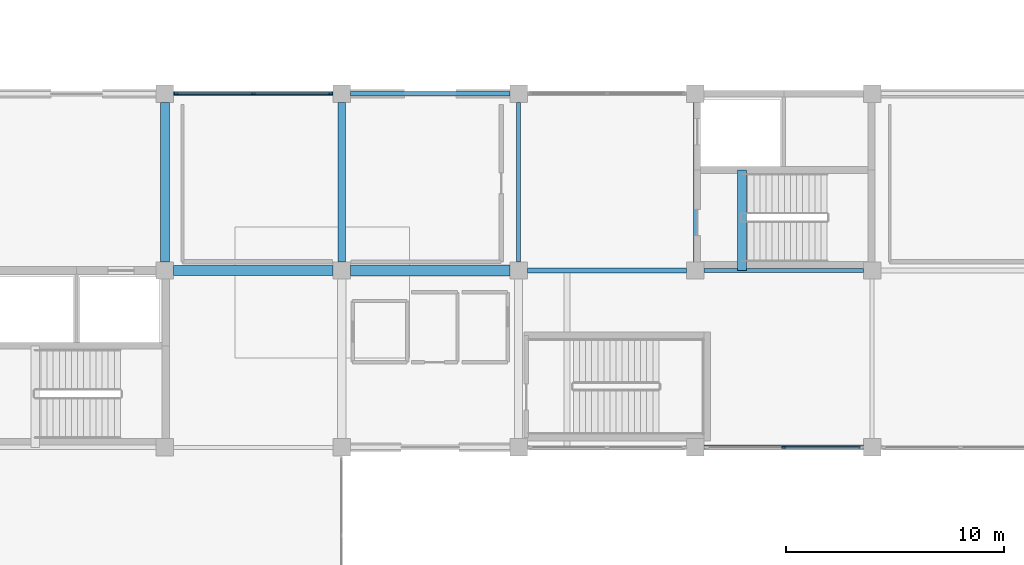
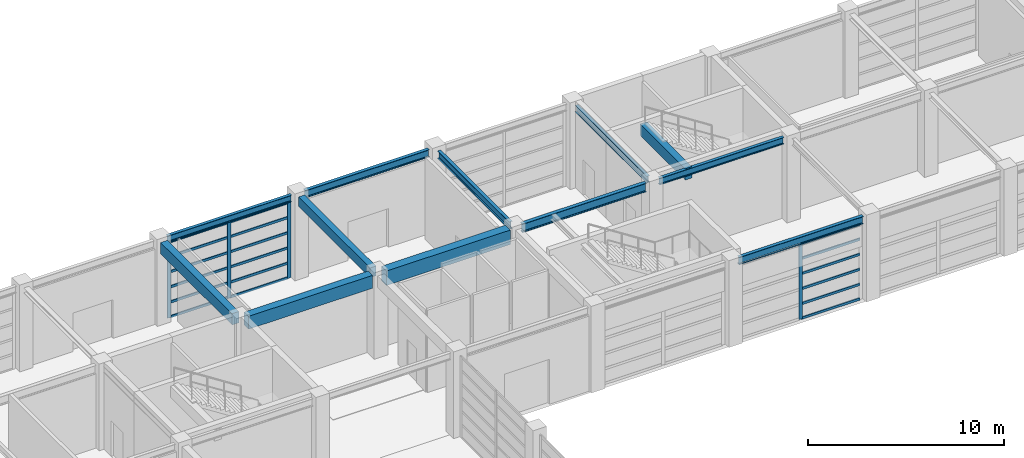
# One storey, part 22 of 52: 22 members, 12 beams, 2 elements without a shape of their own.
"""IFC4 building model written with IfcOpenShell, lengths in metres."""

from ifc_helpers import new_model, si_unit, direction, frame, origin, origin_2d, place, context, subcontext, project, spatial, rectangle, i_section, extrude, material, material_profile, profile_set, type_object, element, aggregate, save


model = new_model("IFC4")

# Units and contexts
model_context = context("Model", 3, precision=1e-05, world=origin(), true_north=direction((0.0, 1.0)))
body_context = subcontext(model_context, "Body", "Model", "MODEL_VIEW")
ifc_project = project(units=[si_unit("LENGTHUNIT", "METRE"), si_unit("AREAUNIT", "SQUARE_METRE"), si_unit("VOLUMEUNIT", "CUBIC_METRE"), si_unit("PLANEANGLEUNIT", "RADIAN"), si_unit("MASSUNIT", "GRAM", prefix="KILO")], contexts=[model_context])

# Site, building, storey
site_placement = place(None, origin())
site = spatial("IfcSite", under=ifc_project, at=site_placement, CompositionType="ELEMENT")
building_placement = place(site_placement, origin())
building = spatial("IfcBuilding", under=site, at=building_placement, Name="Parian Resonance Hall", CompositionType="ELEMENT")
storey_placement = place(building_placement, origin())
storey = spatial("IfcBuildingStorey", under=building, at=storey_placement, Name="L00", CompositionType="ELEMENT", Elevation=0.0)

# Beams
ifc_material_1 = material(Name="Concrete C40/50", Category="concrete")
ifc_material_profile_1 = material_profile(ifc_material_1, rectangle(XDim=0.35009765625, YDim=0.60009765625, at=origin_2d()), Name="RC-BM-350x600")
ifc_profile_set_1 = profile_set([ifc_material_profile_1], Name="Concrete C40/50")
beam_type_1 = type_object("IfcBeamType", Name="BM-RC350x600", PredefinedType="BEAM", material=ifc_profile_set_1)
beam_1_placement = place(storey_placement, frame((72.89990234375, 81.39990234375, 4.85009765625), z_axis=(0.0, 1.0, 0.0), x_axis=(-1.0, 0.0, 0.0)))
element("IfcBeam", 1, at=beam_1_placement, inside=storey, type_object=beam_type_1, Name="GY-L00-0433", PredefinedType="BEAM", context=body_context, shape_type="SweptSolid", body=[
    extrude(rectangle(XDim=0.35009765625, YDim=0.60009765625, at=origin_2d()), origin(), (0.0, 0.0, 1.0), 7.300048828125),
])
ifc_material_2 = material(Name="Concrete C40/50", Category="concrete")
ifc_material_profile_2 = material_profile(ifc_material_2, rectangle(XDim=0.39990234375, YDim=0.699951171875, at=origin_2d()), Name="RC-BM-400x700")
ifc_profile_set_2 = profile_set([ifc_material_profile_2], Name="Concrete C40/50")
beam_type_2 = type_object("IfcBeamType", Name="BM-RC400x700", PredefinedType="BEAM", material=ifc_profile_set_2)
beam_2_placement = place(storey_placement, frame((64.800048828125, 81.39990234375, 4.800048828125), z_axis=(0.0, 1.0, 0.0), x_axis=(-1.0, 0.0, 0.0)))
element("IfcBeam", 2, at=beam_2_placement, inside=storey, type_object=beam_type_2, Name="GY-L00-0426", PredefinedType="BEAM", context=body_context, shape_type="SweptSolid", body=[
    extrude(rectangle(XDim=0.39990234375, YDim=0.699951171875, at=origin_2d()), origin(), (0.0, 0.0, 1.0), 7.300048828125),
])
beam_3_placement = place(storey_placement, frame((91.239990234375, 81.0, 4.800048828125), z_axis=(0.0, 1.0, 0.0), x_axis=(-1.0, 0.0, 0.0)))
element("IfcBeam", 3, at=beam_3_placement, inside=storey, type_object=beam_type_2, Name="Core K5 stair arrival trimmer beam L00", PredefinedType="BEAM", context=body_context, shape_type="SweptSolid", body=[
    extrude(rectangle(XDim=0.39990234375, YDim=0.699951171875, at=origin_2d()), origin(), (0.0, 0.0, 1.0), 4.610107421875),
])
ifc_material_3 = material(Name="Concrete C40/50", Category="concrete")
ifc_material_profile_3 = material_profile(ifc_material_3, rectangle(XDim=0.449951171875, YDim=0.800048828125, at=origin_2d()), Name="RC-BM-450x800")
ifc_profile_set_3 = profile_set([ifc_material_profile_3], Name="Concrete C40/50")
beam_type_3 = type_object("IfcBeamType", Name="BM-RC450x800", PredefinedType="USERDEFINED", material=ifc_profile_set_3)
beam_4_placement = place(storey_placement, frame((65.199951171875, 81.0, 4.75), z_axis=(1.0, 0.0, 0.0), x_axis=(0.0, 1.0, 0.0)))
element("IfcBeam", 4, at=beam_4_placement, inside=storey, type_object=beam_type_3, Name="GX-L00-0307", ObjectType="GIRDER", PredefinedType="USERDEFINED", context=body_context, shape_type="SweptSolid", body=[
    extrude(rectangle(XDim=0.449951171875, YDim=0.800048828125, at=origin_2d()), origin(), (0.0, 0.0, 1.0), 7.300048828125),
])
ifc_material_4 = material(Name="Concrete C40/50", Category="concrete")
ifc_material_profile_4 = material_profile(ifc_material_4, rectangle(XDim=0.5, YDim=0.89990234375, at=origin_2d()), Name="RC-BM-500x900")
ifc_profile_set_4 = profile_set([ifc_material_profile_4], Name="Concrete C40/50")
beam_type_4 = type_object("IfcBeamType", Name="BM-RC500x900", PredefinedType="USERDEFINED", material=ifc_profile_set_4)
beam_5_placement = place(storey_placement, frame((73.300048828125, 81.0, 4.699951171875), z_axis=(1.0, 0.0, 0.0), x_axis=(0.0, 1.0, 0.0)))
element("IfcBeam", 5, at=beam_5_placement, inside=storey, type_object=beam_type_4, Name="GX-L00-0314", ObjectType="GIRDER", PredefinedType="USERDEFINED", context=body_context, shape_type="SweptSolid", body=[
    extrude(rectangle(XDim=0.5, YDim=0.89990234375, at=origin_2d()), origin(), (0.0, 0.0, 1.0), 7.300048828125),
])
ifc_material_5 = material(Name="Steel S355", Category="steel")
ifc_material_profile_5 = material_profile(ifc_material_5, i_section(OverallWidth=0.180908203125, OverallDepth=0.4169921875, WebThickness=0.010986328125, FlangeThickness=0.018310546875, FilletRadius=0.01513671875, at=origin_2d()), Name="W410x85")
ifc_profile_set_5 = profile_set([ifc_material_profile_5], Name="Steel S355")
beam_type_5 = type_object("IfcBeamType", Name="BM-W410x85", PredefinedType="SPANDREL", material=ifc_profile_set_5)
for number, where, z_axis, x_axis, name in (
    (6, (65.199951171875, 89.10009765625, 4.94140625), (1.0, 0.0, 0.0), (0.0, 1.0, 0.0), "GX-L00-0308"),
    (7, (89.5, 81.0, 4.94140625), (1.0, 0.0, 0.0), (0.0, 1.0, 0.0), "GX-L00-0328"),
    (8, (89.10009765625, 81.39990234375, 4.94140625), (0.0, 1.0, 0.0), (-1.0, 0.0, 0.0), "GY-L00-0442"),
):
    element("IfcBeam", number, at=place(storey_placement, frame(where, z_axis=z_axis, x_axis=x_axis)), inside=storey, type_object=beam_type_5, Name=name, PredefinedType="SPANDREL", context=body_context, shape_type="SweptSolid", body=[
        extrude(i_section(OverallWidth=0.180908203125, OverallDepth=0.4169921875, WebThickness=0.010986328125, FlangeThickness=0.018310546875, FilletRadius=0.01513671875, at=origin_2d()), origin(), (0.0, 0.0, 1.0), 7.300048828125),
    ])
ifc_material_6 = material(Name="Steel S355", Category="steel")
ifc_material_profile_6 = material_profile(ifc_material_6, i_section(OverallWidth=0.194091796875, OverallDepth=0.468994140625, WebThickness=0.0126953125, FlangeThickness=0.0205078125, FilletRadius=0.01513671875, at=origin_2d()), Name="W460x106")
ifc_profile_set_6 = profile_set([ifc_material_profile_6], Name="Steel S355")
beam_type_6 = type_object("IfcBeamType", Name="BM-W460x106", PredefinedType="SPANDREL", material=ifc_profile_set_6)
for number, where, z_axis, x_axis, name in (
    (9, (73.300048828125, 89.10009765625, 4.91552734375), (1.0, 0.0, 0.0), (0.0, 1.0, 0.0), "GX-L00-0315"),
    (10, (89.5, 72.89990234375, 4.91552734375), (1.0, 0.0, 0.0), (0.0, 1.0, 0.0), "GX-L00-0327"),
    (11, (81.0, 81.39990234375, 4.91552734375), (0.0, 1.0, 0.0), (-1.0, 0.0, 0.0), "GY-L00-0438"),
):
    element("IfcBeam", number, at=place(storey_placement, frame(where, z_axis=z_axis, x_axis=x_axis)), inside=storey, type_object=beam_type_6, Name=name, PredefinedType="SPANDREL", context=body_context, shape_type="SweptSolid", body=[
        extrude(i_section(OverallWidth=0.194091796875, OverallDepth=0.468994140625, WebThickness=0.0126953125, FlangeThickness=0.0205078125, FilletRadius=0.01513671875, at=origin_2d()), origin(), (0.0, 0.0, 1.0), 7.300048828125),
    ])
ifc_material_7 = material(Name="Steel S355", Category="steel")
ifc_material_profile_7 = material_profile(ifc_material_7, i_section(OverallWidth=0.2119140625, OverallDepth=0.5439453125, WebThickness=0.01318359375, FlangeThickness=0.021240234375, FilletRadius=0.017822265625, at=origin_2d()), Name="W530x123")
ifc_profile_set_7 = profile_set([ifc_material_profile_7], Name="Steel S355")
beam_type_7 = type_object("IfcBeamType", Name="BM-W530x123", PredefinedType="USERDEFINED", material=ifc_profile_set_7)
beam_6_placement = place(storey_placement, frame((81.39990234375, 81.0, 4.8779296875), z_axis=(1.0, 0.0, 0.0), x_axis=(0.0, 1.0, 0.0)))
element("IfcBeam", 12, at=beam_6_placement, inside=storey, type_object=beam_type_7, Name="GX-L00-0321", ObjectType="GIRDER", PredefinedType="USERDEFINED", context=body_context, shape_type="SweptSolid", body=[
    extrude(i_section(OverallWidth=0.2119140625, OverallDepth=0.5439453125, WebThickness=0.01318359375, FlangeThickness=0.021240234375, FilletRadius=0.017822265625, at=origin_2d()), origin(), (0.0, 0.0, 1.0), 7.300048828125),
])

# Curtain wall, members
ifc_material_8 = material(Name="Bronze-anodised aluminium frame", Category="aluminium")
curtain_wall_type_1 = type_object("IfcCurtainWallType", Name="CW-SYS-03", PredefinedType="NOTDEFINED", material=ifc_material_8)
curtain_wall_1_placement = place(storey_placement, origin())
curtain_wall_1 = element("IfcCurtainWall", 13, at=curtain_wall_1_placement, inside=storey, type_object=curtain_wall_type_1, Name="Curtain wall CW-L00-090", PredefinedType="NOTDEFINED")
ifc_material_9 = material(Name="Bronze-anodised aluminium frame", Category="aluminium")
ifc_material_profile_8 = material_profile(ifc_material_9, rectangle(XDim=0.074951171875, YDim=0.199951171875, at=origin_2d()), Name="CWM-75x200")
ifc_profile_set_8 = profile_set([ifc_material_profile_8], Name="Bronze-anodised aluminium frame")
member_type_1 = type_object("IfcMemberType", Name="CWM-75x200", PredefinedType="MULLION", material=ifc_profile_set_8)
member_1_placement = place(storey_placement, frame((65.3173828125, 89.10009765625, -0.008056640625), z_axis=(0.0, 0.0, 1.0), x_axis=(0.0, 1.0, 0.0)))
member_1 = element("IfcMember", 14, at=member_1_placement, type_object=member_type_1, Name="CW-03 mullion 1", PredefinedType="MULLION", context=body_context, shape_type="SweptSolid", body=[
    extrude(rectangle(XDim=0.074951171875, YDim=0.199951171875, at=origin_2d()), origin(), (0.0, 0.0, 1.0), 4.7451171875),
])
member_2_placement = place(storey_placement, frame((68.85009765625, 89.10009765625, -0.008056640625), z_axis=(0.0, 0.0, 1.0), x_axis=(0.0, 1.0, 0.0)))
member_2 = element("IfcMember", 15, at=member_2_placement, type_object=member_type_1, Name="CW-03 mullion 2", PredefinedType="MULLION", context=body_context, shape_type="SweptSolid", body=[
    extrude(rectangle(XDim=0.074951171875, YDim=0.199951171875, at=origin_2d()), origin(), (0.0, 0.0, 1.0), 4.7451171875),
])
member_3_placement = place(storey_placement, frame((72.382568359375, 89.10009765625, -0.008056640625), z_axis=(0.0, 0.0, 1.0), x_axis=(0.0, 1.0, 0.0)))
member_3 = element("IfcMember", 16, at=member_3_placement, type_object=member_type_1, Name="CW-03 mullion 3", PredefinedType="MULLION", context=body_context, shape_type="SweptSolid", body=[
    extrude(rectangle(XDim=0.074951171875, YDim=0.199951171875, at=origin_2d()), origin(), (0.0, 0.0, 1.0), 4.7451171875),
])

# Curtain wall, member
ifc_material_10 = material(Name="Bronze-anodised aluminium frame", Category="aluminium")
curtain_wall_type_2 = type_object("IfcCurtainWallType", Name="CW-SYS-06", PredefinedType="NOTDEFINED", material=ifc_material_10)
curtain_wall_2_placement = place(storey_placement, origin())
curtain_wall_2 = element("IfcCurtainWall", 17, at=curtain_wall_2_placement, inside=storey, type_object=curtain_wall_type_2, Name="Curtain wall CW-L00-116", PredefinedType="NOTDEFINED")
member_4_placement = place(storey_placement, frame((93.14990234375, 72.89990234375, -0.008056640625), z_axis=(0.0, 0.0, 1.0), x_axis=(0.0, -1.0, 0.0)))
member_4 = element("IfcMember", 18, at=member_4_placement, type_object=member_type_1, Name="CW-06 mullion 2", PredefinedType="MULLION", context=body_context, shape_type="SweptSolid", body=[
    extrude(rectangle(XDim=0.074951171875, YDim=0.199951171875, at=origin_2d()), origin(), (0.0, 0.0, 1.0), 4.693115234375),
])

# Member
ifc_material_11 = material(Name="Bronze-anodised aluminium frame", Category="aluminium")
ifc_material_profile_9 = material_profile(ifc_material_11, rectangle(XDim=0.074951171875, YDim=0.14990234375, at=origin_2d()), Name="CWT-75x150")
ifc_profile_set_9 = profile_set([ifc_material_profile_9], Name="Bronze-anodised aluminium frame")
member_type_2 = type_object("IfcMemberType", Name="CWT-75x150", PredefinedType="USERDEFINED", material=ifc_profile_set_9)
member_5_placement = place(storey_placement, frame((65.35498046875, 89.10009765625, 0.029541015625), z_axis=(1.0, 0.0, 0.0), x_axis=(0.0, 1.0, 0.0)))
member_5 = element("IfcMember", 19, at=member_5_placement, type_object=member_type_2, Name="CW-03 transom 1.1", ObjectType="TRANSOM", PredefinedType="USERDEFINED", context=body_context, shape_type="SweptSolid", body=[
    extrude(rectangle(XDim=0.074951171875, YDim=0.14990234375, at=origin_2d()), origin(), (0.0, 0.0, 1.0), 3.45751953125),
])

member_6_placement = place(storey_placement, frame((65.35498046875, 89.10009765625, 0.9453125), z_axis=(1.0, 0.0, 0.0), x_axis=(0.0, 1.0, 0.0)))
member_6 = element("IfcMember", 20, at=member_6_placement, type_object=member_type_2, Name="CW-03 transom 1.2", ObjectType="TRANSOM", PredefinedType="USERDEFINED", context=body_context, shape_type="SweptSolid", body=[
    extrude(rectangle(XDim=0.074951171875, YDim=0.14990234375, at=origin_2d()), origin(), (0.0, 0.0, 1.0), 3.45751953125),
])

member_7_placement = place(storey_placement, frame((65.35498046875, 89.10009765625, 1.890869140625), z_axis=(1.0, 0.0, 0.0), x_axis=(0.0, 1.0, 0.0)))
member_7 = element("IfcMember", 21, at=member_7_placement, type_object=member_type_2, Name="CW-03 transom 1.3", ObjectType="TRANSOM", PredefinedType="USERDEFINED", context=body_context, shape_type="SweptSolid", body=[
    extrude(rectangle(XDim=0.074951171875, YDim=0.14990234375, at=origin_2d()), origin(), (0.0, 0.0, 1.0), 3.45751953125),
])

member_8_placement = place(storey_placement, frame((65.35498046875, 89.10009765625, 2.836181640625), z_axis=(1.0, 0.0, 0.0), x_axis=(0.0, 1.0, 0.0)))
member_8 = element("IfcMember", 22, at=member_8_placement, type_object=member_type_2, Name="CW-03 transom 1.4", ObjectType="TRANSOM", PredefinedType="USERDEFINED", context=body_context, shape_type="SweptSolid", body=[
    extrude(rectangle(XDim=0.074951171875, YDim=0.14990234375, at=origin_2d()), origin(), (0.0, 0.0, 1.0), 3.45751953125),
])

member_9_placement = place(storey_placement, frame((65.35498046875, 89.10009765625, 3.781494140625), z_axis=(1.0, 0.0, 0.0), x_axis=(0.0, 1.0, 0.0)))
member_9 = element("IfcMember", 23, at=member_9_placement, type_object=member_type_2, Name="CW-03 transom 1.5", ObjectType="TRANSOM", PredefinedType="USERDEFINED", context=body_context, shape_type="SweptSolid", body=[
    extrude(rectangle(XDim=0.074951171875, YDim=0.14990234375, at=origin_2d()), origin(), (0.0, 0.0, 1.0), 3.45751953125),
])

member_10_placement = place(storey_placement, frame((65.35498046875, 89.10009765625, 4.699462890625), z_axis=(1.0, 0.0, 0.0), x_axis=(0.0, 1.0, 0.0)))
member_10 = element("IfcMember", 24, at=member_10_placement, type_object=member_type_2, Name="CW-03 transom 1.6", ObjectType="TRANSOM", PredefinedType="USERDEFINED", context=body_context, shape_type="SweptSolid", body=[
    extrude(rectangle(XDim=0.074951171875, YDim=0.14990234375, at=origin_2d()), origin(), (0.0, 0.0, 1.0), 3.45751953125),
])

member_11_placement = place(storey_placement, frame((68.887451171875, 89.10009765625, 0.029541015625), z_axis=(1.0, 0.0, 0.0), x_axis=(0.0, 1.0, 0.0)))
member_11 = element("IfcMember", 25, at=member_11_placement, type_object=member_type_2, Name="CW-03 transom 2.1", ObjectType="TRANSOM", PredefinedType="USERDEFINED", context=body_context, shape_type="SweptSolid", body=[
    extrude(rectangle(XDim=0.074951171875, YDim=0.14990234375, at=origin_2d()), origin(), (0.0, 0.0, 1.0), 3.45751953125),
])

member_12_placement = place(storey_placement, frame((68.887451171875, 89.10009765625, 0.9453125), z_axis=(1.0, 0.0, 0.0), x_axis=(0.0, 1.0, 0.0)))
member_12 = element("IfcMember", 26, at=member_12_placement, type_object=member_type_2, Name="CW-03 transom 2.2", ObjectType="TRANSOM", PredefinedType="USERDEFINED", context=body_context, shape_type="SweptSolid", body=[
    extrude(rectangle(XDim=0.074951171875, YDim=0.14990234375, at=origin_2d()), origin(), (0.0, 0.0, 1.0), 3.45751953125),
])

member_13_placement = place(storey_placement, frame((68.887451171875, 89.10009765625, 1.890869140625), z_axis=(1.0, 0.0, 0.0), x_axis=(0.0, 1.0, 0.0)))
member_13 = element("IfcMember", 27, at=member_13_placement, type_object=member_type_2, Name="CW-03 transom 2.3", ObjectType="TRANSOM", PredefinedType="USERDEFINED", context=body_context, shape_type="SweptSolid", body=[
    extrude(rectangle(XDim=0.074951171875, YDim=0.14990234375, at=origin_2d()), origin(), (0.0, 0.0, 1.0), 3.45751953125),
])

member_14_placement = place(storey_placement, frame((68.887451171875, 89.10009765625, 2.836181640625), z_axis=(1.0, 0.0, 0.0), x_axis=(0.0, 1.0, 0.0)))
member_14 = element("IfcMember", 28, at=member_14_placement, type_object=member_type_2, Name="CW-03 transom 2.4", ObjectType="TRANSOM", PredefinedType="USERDEFINED", context=body_context, shape_type="SweptSolid", body=[
    extrude(rectangle(XDim=0.074951171875, YDim=0.14990234375, at=origin_2d()), origin(), (0.0, 0.0, 1.0), 3.45751953125),
])

member_15_placement = place(storey_placement, frame((68.887451171875, 89.10009765625, 3.781494140625), z_axis=(1.0, 0.0, 0.0), x_axis=(0.0, 1.0, 0.0)))
member_15 = element("IfcMember", 29, at=member_15_placement, type_object=member_type_2, Name="CW-03 transom 2.5", ObjectType="TRANSOM", PredefinedType="USERDEFINED", context=body_context, shape_type="SweptSolid", body=[
    extrude(rectangle(XDim=0.074951171875, YDim=0.14990234375, at=origin_2d()), origin(), (0.0, 0.0, 1.0), 3.45751953125),
])

member_16_placement = place(storey_placement, frame((68.887451171875, 89.10009765625, 4.699462890625), z_axis=(1.0, 0.0, 0.0), x_axis=(0.0, 1.0, 0.0)))
member_16 = element("IfcMember", 30, at=member_16_placement, type_object=member_type_2, Name="CW-03 transom 2.6", ObjectType="TRANSOM", PredefinedType="USERDEFINED", context=body_context, shape_type="SweptSolid", body=[
    extrude(rectangle(XDim=0.074951171875, YDim=0.14990234375, at=origin_2d()), origin(), (0.0, 0.0, 1.0), 3.45751953125),
])

aggregate(curtain_wall_1, [member_1, member_2, member_3, member_5, member_6, member_7, member_8, member_9, member_10, member_11, member_12, member_13, member_14, member_15, member_16])

member_17_placement = place(storey_placement, frame((96.64501953125, 72.89990234375, 0.029541015625), z_axis=(-1.0, 0.0, 0.0), x_axis=(0.0, -1.0, 0.0)))
member_17 = element("IfcMember", 31, at=member_17_placement, type_object=member_type_2, Name="CW-06 transom 1.1", ObjectType="TRANSOM", PredefinedType="USERDEFINED", context=body_context, shape_type="SweptSolid", body=[
    extrude(rectangle(XDim=0.074951171875, YDim=0.14990234375, at=origin_2d()), origin(), (0.0, 0.0, 1.0), 3.45751953125),
])

member_18_placement = place(storey_placement, frame((96.64501953125, 72.89990234375, 0.93505859375), z_axis=(-1.0, 0.0, 0.0), x_axis=(0.0, -1.0, 0.0)))
member_18 = element("IfcMember", 32, at=member_18_placement, type_object=member_type_2, Name="CW-06 transom 1.2", ObjectType="TRANSOM", PredefinedType="USERDEFINED", context=body_context, shape_type="SweptSolid", body=[
    extrude(rectangle(XDim=0.074951171875, YDim=0.14990234375, at=origin_2d()), origin(), (0.0, 0.0, 1.0), 3.45751953125),
])

member_19_placement = place(storey_placement, frame((96.64501953125, 72.89990234375, 1.8701171875), z_axis=(-1.0, 0.0, 0.0), x_axis=(0.0, -1.0, 0.0)))
member_19 = element("IfcMember", 33, at=member_19_placement, type_object=member_type_2, Name="CW-06 transom 1.3", ObjectType="TRANSOM", PredefinedType="USERDEFINED", context=body_context, shape_type="SweptSolid", body=[
    extrude(rectangle(XDim=0.074951171875, YDim=0.14990234375, at=origin_2d()), origin(), (0.0, 0.0, 1.0), 3.45751953125),
])

member_20_placement = place(storey_placement, frame((96.64501953125, 72.89990234375, 2.804931640625), z_axis=(-1.0, 0.0, 0.0), x_axis=(0.0, -1.0, 0.0)))
member_20 = element("IfcMember", 34, at=member_20_placement, type_object=member_type_2, Name="CW-06 transom 1.4", ObjectType="TRANSOM", PredefinedType="USERDEFINED", context=body_context, shape_type="SweptSolid", body=[
    extrude(rectangle(XDim=0.074951171875, YDim=0.14990234375, at=origin_2d()), origin(), (0.0, 0.0, 1.0), 3.45751953125),
])

member_21_placement = place(storey_placement, frame((96.64501953125, 72.89990234375, 3.739990234375), z_axis=(-1.0, 0.0, 0.0), x_axis=(0.0, -1.0, 0.0)))
member_21 = element("IfcMember", 35, at=member_21_placement, type_object=member_type_2, Name="CW-06 transom 1.5", ObjectType="TRANSOM", PredefinedType="USERDEFINED", context=body_context, shape_type="SweptSolid", body=[
    extrude(rectangle(XDim=0.074951171875, YDim=0.14990234375, at=origin_2d()), origin(), (0.0, 0.0, 1.0), 3.45751953125),
])

member_22_placement = place(storey_placement, frame((96.64501953125, 72.89990234375, 4.6474609375), z_axis=(-1.0, 0.0, 0.0), x_axis=(0.0, -1.0, 0.0)))
member_22 = element("IfcMember", 36, at=member_22_placement, type_object=member_type_2, Name="CW-06 transom 1.6", ObjectType="TRANSOM", PredefinedType="USERDEFINED", context=body_context, shape_type="SweptSolid", body=[
    extrude(rectangle(XDim=0.074951171875, YDim=0.14990234375, at=origin_2d()), origin(), (0.0, 0.0, 1.0), 3.45751953125),
])

aggregate(curtain_wall_2, [member_4, member_17, member_18, member_19, member_20, member_21, member_22])

save(model, "model.ifc")
